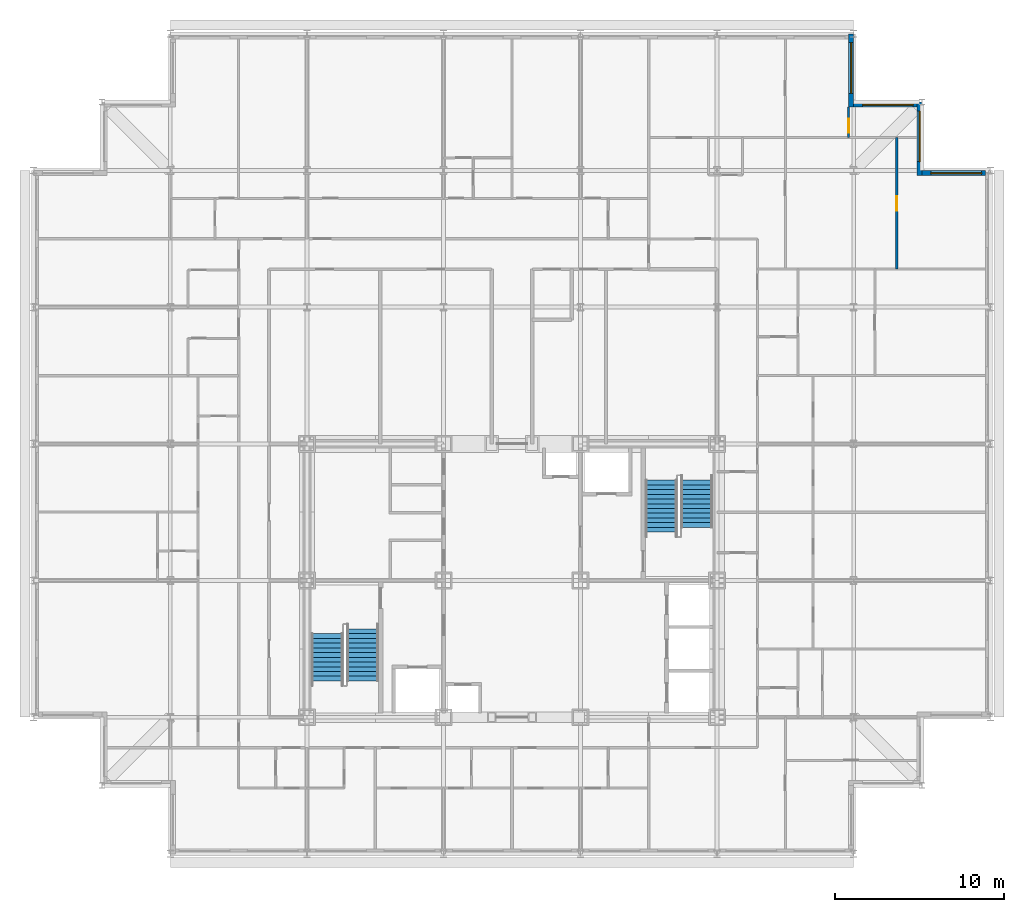
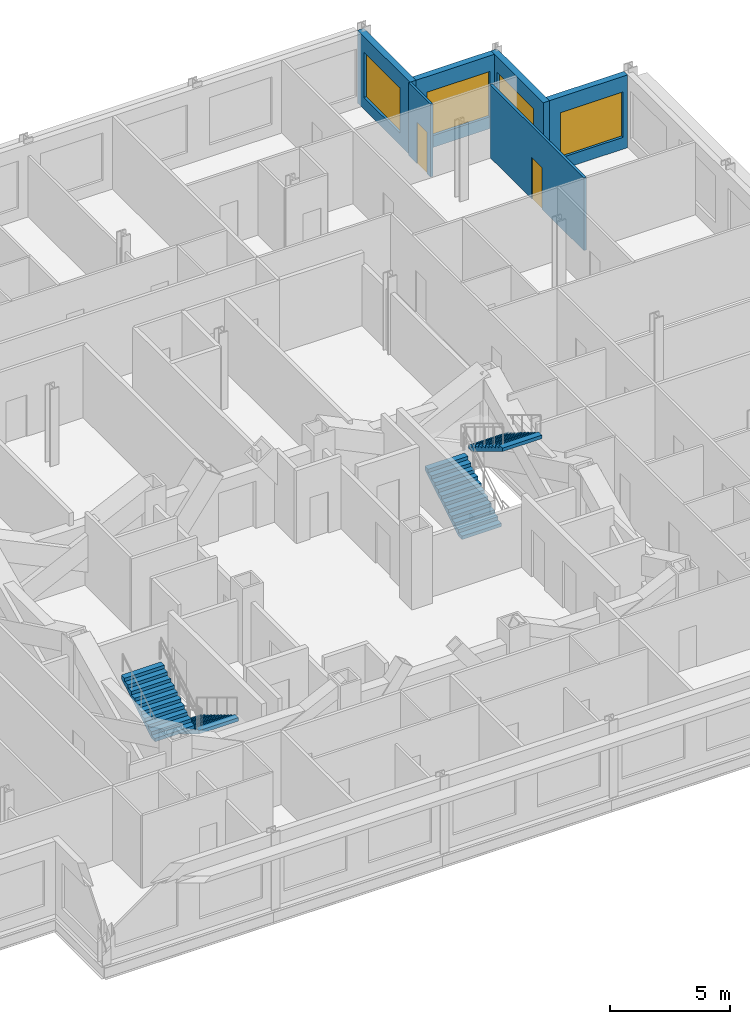
# One storey, part 14 of 15: 6 walls, 4 stair flights, 4 windows, 2 doors, 6 openings, 2 elements without a shape of their own.
"""IFC4 building model written with IfcOpenShell, lengths in metres."""

from ifc_helpers import new_model, si_unit, direction, frame, frame_2d, origin, place, context, subcontext, project, spatial, rectangle, extrude, polygons, source, transform, mapped, material, layer, layer_set, type_object, element, fill, aggregate, save


model = new_model("IFC4")

# Units and contexts
model_context = context("Model", 3, precision=1e-05, world=origin(), true_north=direction((0.0, 1.0)))
body_context = subcontext(model_context, "Body", "Model", "MODEL_VIEW")
ifc_project = project(units=[si_unit("LENGTHUNIT", "METRE"), si_unit("AREAUNIT", "SQUARE_METRE"), si_unit("VOLUMEUNIT", "CUBIC_METRE"), si_unit("PLANEANGLEUNIT", "RADIAN"), si_unit("MASSUNIT", "GRAM", prefix="KILO")], contexts=[model_context])

# Site, building, storey
site_placement = place(None, origin())
site = spatial("IfcSite", under=ifc_project, at=site_placement, CompositionType="ELEMENT")
building_placement = place(site_placement, origin())
building = spatial("IfcBuilding", under=site, at=building_placement, Name="Kopane Lantern Tower", CompositionType="ELEMENT")
storey_placement = place(building_placement, frame((0.0, 0.0, 250.199951171875)))
storey = spatial("IfcBuildingStorey", under=building, at=storey_placement, Name="L64", CompositionType="ELEMENT", Elevation=250.199951171875)

# Wall, opening, door
ifc_material_1 = material(Name="Gypsum board on steel studs", Category="steel")
ifc_layer_1 = layer(ifc_material_1, 0.1201171875)
ifc_layer_set_1 = layer_set([ifc_layer_1], Name="APARTMENT INTERNAL WALL 120")
wall_type_1 = type_object("IfcWallType", Name="APARTMENT INTERNAL WALL 120", PredefinedType="PARTITIONING", material=ifc_layer_set_1)
wall_1_placement = place(storey_placement, frame((48.300048828125, 58.64990234375, 0.0), z_axis=(0.0, 0.0, 1.0), x_axis=(0.0, 1.0, 0.0)))
wall_1 = element("IfcWall", 1, at=wall_1_placement, inside=storey, type_object=wall_type_1, Name="Apartment Internal Wall 120 L64", PredefinedType="PARTITIONING", context=body_context, shape_type="SweptSolid", body=[
    extrude(rectangle(XDim=1.800048828125, YDim=0.1201171875, at=frame_2d((0.89990234375, 0.0))), origin(), (0.0, 0.0, 1.0), 3.68994140625),
])
opening_1_placement = place(wall_1_placement, frame((0.27490234375, 0.0, 0.0)))
opening_1 = element("IfcOpeningElement", 2, at=opening_1_placement, cuts=wall_1, Name="Opening L64-064", PredefinedType="OPENING", context=body_context, shape_type="SweptSolid", body=[
    extrude(rectangle(XDim=0.85009765625, YDim=2.10009765625, at=frame_2d((0.425048828125, 1.050048828125))), frame((0.0, 0.070068359375, 0.0), z_axis=(0.0, -1.0, 0.0), x_axis=(1.0, 0.0, 0.0)), (0.0, 0.0, 1.0), 0.14013671875),
])
ifc_material_2 = material(Name="Timber door set", Category="wood")
door_type = type_object("IfcDoorType", Name="DOOR D4 850x2100", OperationType="SINGLE_SWING_LEFT", PredefinedType="DOOR", material=ifc_material_2)
door_1_placement = place(opening_1_placement, origin())
door_1 = element("IfcDoor", 3, at=door_1_placement, inside=storey, type_object=door_type, Name="Door L64-064", OperationType="SINGLE_SWING_RIGHT", OverallHeight=2.10009765625, OverallWidth=0.85009765625, PredefinedType="DOOR", context=body_context, shape_type="SweptSolid", body=[
    extrude(rectangle(XDim=0.85009765625, YDim=2.10009765625, at=frame_2d((0.425048828125, 1.050048828125))), frame((0.0, 0.02490234375, 0.0), z_axis=(0.0, -1.0, 0.0), x_axis=(1.0, 0.0, 0.0)), (0.0, 0.0, 1.0), 0.050048828125),
])
fill(opening_1, door_1)

wall_2_placement = place(storey_placement, frame((51.14990234375, 50.85009765625, 0.0), z_axis=(0.0, 0.0, 1.0), x_axis=(0.0, 1.0, 0.0)))
wall_2 = element("IfcWall", 4, at=wall_2_placement, inside=storey, type_object=wall_type_1, Name="Apartment Internal Wall 120 L64", PredefinedType="PARTITIONING", context=body_context, shape_type="SweptSolid", body=[
    extrude(rectangle(XDim=7.7998046875, YDim=0.1201171875, at=frame_2d((3.89990234375, 0.0))), origin(), (0.0, 0.0, 1.0), 3.68994140625),
])
opening_2_placement = place(wall_2_placement, frame((3.47509765625, 0.0, 0.0)))
opening_2 = element("IfcOpeningElement", 5, at=opening_2_placement, cuts=wall_2, Name="Opening L64-070", PredefinedType="OPENING", context=body_context, shape_type="SweptSolid", body=[
    extrude(rectangle(XDim=0.85009765625, YDim=2.10009765625, at=frame_2d((0.425048828125, 1.050048828125))), frame((0.0, 0.070068359375, 0.0), z_axis=(0.0, -1.0, 0.0), x_axis=(1.0, 0.0, 0.0)), (0.0, 0.0, 1.0), 0.14013671875),
])
door_2_placement = place(opening_2_placement, origin())
door_2 = element("IfcDoor", 6, at=door_2_placement, inside=storey, type_object=door_type, Name="Door L64-070", OperationType="SINGLE_SWING_RIGHT", OverallHeight=2.10009765625, OverallWidth=0.85009765625, PredefinedType="DOOR", context=body_context, shape_type="SweptSolid", body=[
    extrude(rectangle(XDim=0.85009765625, YDim=2.10009765625, at=frame_2d((0.425048828125, 1.050048828125))), frame((0.0, 0.02490234375, 0.0), z_axis=(0.0, -1.0, 0.0), x_axis=(1.0, 0.0, 0.0)), (0.0, 0.0, 1.0), 0.050048828125),
])
fill(opening_2, door_2)

# Wall, opening, window
ifc_material_3 = material(Name="Terracotta rainscreen on light steel framing", Category="masonry")
ifc_layer_2 = layer(ifc_material_3, 0.300048828125)
ifc_layer_set_2 = layer_set([ifc_layer_2], Name="EXTERNAL WALL EW1 300 TERRACOTTA")
wall_type_2 = type_object("IfcWallType", Name="EXTERNAL WALL EW1 300 TERRACOTTA", PredefinedType="SOLIDWALL", material=ifc_layer_set_2)
wall_3_placement = place(storey_placement, frame((56.39990234375, 56.550048828125, 0.0), z_axis=(0.0, 0.0, 1.0), x_axis=(-1.0, 0.0, 0.0)))
wall_3 = element("IfcWall", 7, at=wall_3_placement, inside=storey, type_object=wall_type_2, Name="External wall N L64", PredefinedType="SOLIDWALL", context=body_context, shape_type="SweptSolid", body=[
    extrude(rectangle(XDim=3.75, YDim=0.300048828125, at=frame_2d((1.875, 0.0))), origin(), (0.0, 0.0, 1.0), 3.68994140625),
])
opening_3_placement = place(wall_3_placement, frame((0.22509765625, 0.0, 0.60009765625)))
opening_3 = element("IfcOpeningElement", 8, at=opening_3_placement, cuts=wall_3, Name="Opening WR300230", PredefinedType="OPENING", context=body_context, shape_type="SweptSolid", body=[
    extrude(rectangle(XDim=3.0, YDim=2.300048828125, at=frame_2d((1.5, 1.14990234375))), frame((0.0, 0.159912109375, 0.0), z_axis=(0.0, -1.0, 0.0), x_axis=(1.0, 0.0, 0.0)), (0.0, 0.0, 1.0), 0.320068359375),
])
ifc_material_4 = material(Name="Aluminium and clear glass", Category="aluminium")
window_type = type_object("IfcWindowType", Name="RIBBON WINDOW WR300230 3000x2300", PartitioningType="SINGLE_PANEL", PredefinedType="WINDOW", material=ifc_material_4)
window_1_placement = place(opening_3_placement, origin())
window_1 = element("IfcWindow", 9, at=window_1_placement, inside=storey, type_object=window_type, Name="Window N L64", OverallHeight=2.300048828125, OverallWidth=3.0, PartitioningType="SINGLE_PANEL", PredefinedType="WINDOW", context=body_context, shape_type="SweptSolid", body=[
    extrude(rectangle(XDim=3.0, YDim=2.300048828125, at=frame_2d((1.5, 1.14990234375))), frame((0.0, 0.030029296875, 0.0), z_axis=(0.0, -1.0, 0.0), x_axis=(1.0, 0.0, 0.0)), (0.0, 0.0, 1.0), 0.06005859375),
])
fill(opening_3, window_1)

wall_4_placement = place(storey_placement, frame((52.5, 56.39990234375, 0.0), z_axis=(0.0, 0.0, 1.0), x_axis=(0.0, 1.0, 0.0)))
wall_4 = element("IfcWall", 10, at=wall_4_placement, inside=storey, type_object=wall_type_2, Name="External wall E L64", PredefinedType="SOLIDWALL", context=body_context, shape_type="SweptSolid", body=[
    extrude(rectangle(XDim=4.35009765625, YDim=0.300048828125, at=frame_2d((2.175048828125, 0.0))), origin(), (0.0, 0.0, 1.0), 3.68994140625),
])
opening_4_placement = place(wall_4_placement, frame((0.824951171875, 0.0, 0.60009765625)))
opening_4 = element("IfcOpeningElement", 11, at=opening_4_placement, cuts=wall_4, Name="Opening WR300230", PredefinedType="OPENING", context=body_context, shape_type="SweptSolid", body=[
    extrude(rectangle(XDim=3.0, YDim=2.300048828125, at=frame_2d((1.5, 1.14990234375))), frame((0.0, 0.159912109375, 0.0), z_axis=(0.0, -1.0, 0.0), x_axis=(1.0, 0.0, 0.0)), (0.0, 0.0, 1.0), 0.320068359375),
])
window_2_placement = place(opening_4_placement, origin())
window_2 = element("IfcWindow", 12, at=window_2_placement, inside=storey, type_object=window_type, Name="Window E L64", OverallHeight=2.300048828125, OverallWidth=3.0, PartitioningType="SINGLE_PANEL", PredefinedType="WINDOW", context=body_context, shape_type="SweptSolid", body=[
    extrude(rectangle(XDim=3.0, YDim=2.300048828125, at=frame_2d((1.5, 1.14990234375))), frame((0.0, 0.030029296875, 0.0), z_axis=(0.0, -1.0, 0.0), x_axis=(1.0, 0.0, 0.0)), (0.0, 0.0, 1.0), 0.06005859375),
])
fill(opening_4, window_2)

wall_5_placement = place(storey_placement, frame((52.35009765625, 60.60009765625, 0.0), z_axis=(0.0, 0.0, 1.0), x_axis=(-1.0, 0.0, 0.0)))
wall_5 = element("IfcWall", 13, at=wall_5_placement, inside=storey, type_object=wall_type_2, Name="External wall N L64", PredefinedType="SOLIDWALL", context=body_context, shape_type="SweptSolid", body=[
    extrude(rectangle(XDim=3.75, YDim=0.300048828125, at=frame_2d((1.875, 0.0))), origin(), (0.0, 0.0, 1.0), 3.68994140625),
])
opening_5_placement = place(wall_5_placement, frame((0.22509765625, 0.0, 0.60009765625)))
opening_5 = element("IfcOpeningElement", 14, at=opening_5_placement, cuts=wall_5, Name="Opening WR300230", PredefinedType="OPENING", context=body_context, shape_type="SweptSolid", body=[
    extrude(rectangle(XDim=3.0, YDim=2.300048828125, at=frame_2d((1.5, 1.14990234375))), frame((0.0, 0.159912109375, 0.0), z_axis=(0.0, -1.0, 0.0), x_axis=(1.0, 0.0, 0.0)), (0.0, 0.0, 1.0), 0.320068359375),
])
window_3_placement = place(opening_5_placement, origin())
window_3 = element("IfcWindow", 15, at=window_3_placement, inside=storey, type_object=window_type, Name="Window N L64", OverallHeight=2.300048828125, OverallWidth=3.0, PartitioningType="SINGLE_PANEL", PredefinedType="WINDOW", context=body_context, shape_type="SweptSolid", body=[
    extrude(rectangle(XDim=3.0, YDim=2.300048828125, at=frame_2d((1.5, 1.14990234375))), frame((0.0, 0.030029296875, 0.0), z_axis=(0.0, -1.0, 0.0), x_axis=(1.0, 0.0, 0.0)), (0.0, 0.0, 1.0), 0.06005859375),
])
fill(opening_5, window_3)

wall_6_placement = place(storey_placement, frame((48.449951171875, 60.449951171875, 0.0), z_axis=(0.0, 0.0, 1.0), x_axis=(0.0, 1.0, 0.0)))
wall_6 = element("IfcWall", 16, at=wall_6_placement, inside=storey, type_object=wall_type_2, Name="External wall E L64", PredefinedType="SOLIDWALL", context=body_context, shape_type="SweptSolid", body=[
    extrude(rectangle(XDim=4.35009765625, YDim=0.300048828125, at=frame_2d((2.175048828125, 0.0))), origin(), (0.0, 0.0, 1.0), 3.68994140625),
])
opening_6_placement = place(wall_6_placement, frame((0.824951171875, 0.0, 0.60009765625)))
opening_6 = element("IfcOpeningElement", 17, at=opening_6_placement, cuts=wall_6, Name="Opening WR300230", PredefinedType="OPENING", context=body_context, shape_type="SweptSolid", body=[
    extrude(rectangle(XDim=3.0, YDim=2.300048828125, at=frame_2d((1.5, 1.14990234375))), frame((0.0, 0.159912109375, 0.0), z_axis=(0.0, -1.0, 0.0), x_axis=(1.0, 0.0, 0.0)), (0.0, 0.0, 1.0), 0.320068359375),
])
window_4_placement = place(opening_6_placement, origin())
window_4 = element("IfcWindow", 18, at=window_4_placement, inside=storey, type_object=window_type, Name="Window E L64", OverallHeight=2.300048828125, OverallWidth=3.0, PartitioningType="SINGLE_PANEL", PredefinedType="WINDOW", context=body_context, shape_type="SweptSolid", body=[
    extrude(rectangle(XDim=3.0, YDim=2.300048828125, at=frame_2d((1.5, 1.14990234375))), frame((0.0, 0.030029296875, 0.0), z_axis=(0.0, -1.0, 0.0), x_axis=(1.0, 0.0, 0.0)), (0.0, 0.0, 1.0), 0.06005859375),
])
fill(opening_6, window_4)

# Stair, stair flight
ifc_material_5 = material(Name="Steel S355JR", Category="steel")
stair_type = type_object("IfcStairType", Name="EXIT STAIR 1900 HALF TURN", PredefinedType="HALF_TURN_STAIR", material=ifc_material_5)
stair_1_placement = place(storey_placement, origin())
stair_1 = element("IfcStair", 19, at=stair_1_placement, inside=storey, type_object=stair_type, Name="Exit stair ST1 L64", PredefinedType="HALF_TURN_STAIR")
ifc_material_6 = material(Name="Steel S355JR", Category="steel")
stair_flight_type = type_object("IfcStairFlightType", Name="STAIR FLIGHT 1900 STEEL", PredefinedType="STRAIGHT", material=ifc_material_6)
shared_shape_1 = source(origin(), body_context, "Body", "Tessellation", [
    polygons([(3.080078125, 0.949951172, 1.865234375), (2.800048828, 0.949951172, 1.865234375), (2.800048828, -0.949951172, 1.865234375), (3.080078125, -0.949951172, 1.865234375), (0.289306641, 0.949951172, 0.0), (3.080078125, 0.949951172, 1.689941406), (3.080078125, -0.949951172, 1.689941406), (0.289306641, -0.949951172, 0.0), (0.0, 0.949951172, 0.0), (0.0, -0.949951172, 0.0), (0.280029297, 0.949951172, 0.169677734), (0.0, 0.949951172, 0.169677734), (0.0, -0.949951172, 0.169677734), (0.280029297, -0.949951172, 0.169677734), (0.280029297, 0.949951172, 0.339111328), (0.280029297, -0.949951172, 0.339111328), (0.560058594, 0.949951172, 0.339111328), (0.560058594, -0.949951172, 0.339111328), (0.560058594, 0.949951172, 0.508789062), (0.560058594, -0.949951172, 0.508789062), (0.840087891, 0.949951172, 0.508789062), (0.840087891, -0.949951172, 0.508789062), (0.840087891, 0.949951172, 0.678222656), (0.840087891, -0.949951172, 0.678222656), (1.120117188, 0.949951172, 0.678222656), (1.120117188, -0.949951172, 0.678222656), (1.120117188, 0.949951172, 0.847900391), (1.120117188, -0.949951172, 0.847900391), (1.399902344, 0.949951172, 0.847900391), (1.399902344, -0.949951172, 0.847900391), (1.399902344, 0.949951172, 1.017333984), (1.399902344, -0.949951172, 1.017333984), (1.679931641, 0.949951172, 1.017333984), (1.679931641, -0.949951172, 1.017333984), (1.679931641, 0.949951172, 1.187011719), (1.679931641, -0.949951172, 1.187011719), (1.959960938, 0.949951172, 1.187011719), (1.959960938, -0.949951172, 1.187011719), (1.959960938, 0.949951172, 1.356445312), (1.959960938, -0.949951172, 1.356445312), (2.239990234, 0.949951172, 1.356445312), (2.239990234, -0.949951172, 1.356445312), (2.239990234, 0.949951172, 1.526123047), (2.239990234, -0.949951172, 1.526123047), (2.520019531, 0.949951172, 1.526123047), (2.520019531, -0.949951172, 1.526123047), (2.520019531, 0.949951172, 1.695556641), (2.520019531, -0.949951172, 1.695556641), (2.800048828, 0.949951172, 1.695556641), (2.800048828, -0.949951172, 1.695556641), (0.0, 0.0, 0.004585885), (0.0, 0.0, 0.009171769), (0.0, 0.0, 0.013757654), (0.0, 0.0, 0.018343539), (0.0, 0.0, 0.022929424), (0.0, 0.0, 0.027515308), (0.0, 0.0, 0.032101193), (0.0, 0.0, 0.036687078), (0.0, 0.0, 0.041272962), (0.0, 0.0, 0.045858847), (0.0, 0.0, 0.050444732), (0.0, 0.0, 0.055030617), (0.0, 0.0, 0.059616501), (0.0, 0.0, 0.064202386), (0.0, 0.0, 0.068788271), (0.0, 0.0, 0.073374155), (0.0, 0.0, 0.07796004), (0.0, 0.0, 0.082545925), (0.0, 0.0, 0.08713181), (0.0, 0.0, 0.091717694), (0.0, 0.0, 0.096303579), (0.0, 0.0, 0.100889464), (0.0, 0.0, 0.105475348), (0.0, 0.0, 0.110061233), (0.0, 0.0, 0.114647118), (0.0, 0.0, 0.119233003), (0.0, 0.0, 0.123818887), (0.0, 0.0, 0.128404772), (0.0, 0.0, 0.132990657), (0.0, 0.0, 0.137576541), (0.0, 0.0, 0.142162426), (0.0, 0.0, 0.146748311), (0.0, 0.0, 0.151334196), (0.0, 0.0, 0.15592008), (0.0, 0.0, 0.160505965), (0.0, 0.0, 0.16509185), (3.080078125, 0.0, 1.694679054), (3.080078125, 0.0, 1.699416702), (3.080078125, 0.0, 1.70415435), (3.080078125, 0.0, 1.708891997), (3.080078125, 0.0, 1.713629645), (3.080078125, 0.0, 1.718367293), (3.080078125, 0.0, 1.723104941), (3.080078125, 0.0, 1.727842589), (3.080078125, 0.0, 1.732580236), (3.080078125, 0.0, 1.737317884), (3.080078125, 0.0, 1.742055532), (3.080078125, 0.0, 1.74679318), (3.080078125, 0.0, 1.751530828), (3.080078125, 0.0, 1.756268476), (3.080078125, 0.0, 1.761006123), (3.080078125, 0.0, 1.765743771), (3.080078125, 0.0, 1.770481419), (3.080078125, 0.0, 1.775219067), (3.080078125, 0.0, 1.779956715), (3.080078125, 0.0, 1.784694362), (3.080078125, 0.0, 1.78943201), (3.080078125, 0.0, 1.794169658), (3.080078125, 0.0, 1.798907306), (3.080078125, 0.0, 1.803644954), (3.080078125, 0.0, 1.808382601), (3.080078125, 0.0, 1.813120249), (3.080078125, 0.0, 1.817857897), (3.080078125, 0.0, 1.822595545), (3.080078125, 0.0, 1.827333193), (3.080078125, 0.0, 1.83207084), (3.080078125, 0.0, 1.836808488), (3.080078125, 0.0, 1.841546136), (3.080078125, 0.0, 1.846283784), (3.080078125, 0.0, 1.851021432), (3.080078125, 0.0, 1.855759079), (3.080078125, 0.0, 1.860496727)], [[[1, 2, 3]], [[1, 3, 4]], [[5, 6, 7]], [[5, 7, 8]], [[9, 5, 8]], [[9, 8, 10]], [[11, 12, 13]], [[11, 13, 14]], [[15, 11, 14]], [[15, 14, 16]], [[17, 15, 16]], [[17, 16, 18]], [[19, 17, 18]], [[19, 18, 20]], [[21, 19, 20]], [[21, 20, 22]], [[23, 21, 22]], [[23, 22, 24]], [[25, 23, 24]], [[25, 24, 26]], [[27, 25, 26]], [[27, 26, 28]], [[29, 27, 28]], [[29, 28, 30]], [[31, 29, 30]], [[31, 30, 32]], [[33, 31, 32]], [[33, 32, 34]], [[35, 33, 34]], [[35, 34, 36]], [[37, 35, 36]], [[37, 36, 38]], [[39, 37, 38]], [[39, 38, 40]], [[41, 39, 40]], [[41, 40, 42]], [[43, 41, 42]], [[43, 42, 44]], [[45, 43, 44]], [[45, 44, 46]], [[47, 45, 46]], [[47, 46, 48]], [[49, 47, 48]], [[49, 48, 50]], [[2, 49, 50]], [[2, 50, 3]], [[49, 1, 6]], [[45, 49, 6]], [[2, 1, 49]], [[41, 45, 6]], [[47, 49, 45]], [[37, 41, 6]], [[43, 45, 41]], [[39, 41, 37]], [[35, 37, 33]], [[31, 33, 29]], [[5, 21, 25]], [[27, 29, 25]], [[17, 21, 5]], [[23, 25, 21]], [[11, 17, 5]], [[19, 21, 17]], [[9, 11, 5]], [[15, 17, 11]], [[12, 11, 9]], [[6, 5, 25]], [[6, 25, 29]], [[6, 29, 33]], [[6, 33, 37]], [[7, 4, 50]], [[7, 50, 46]], [[50, 4, 3]], [[7, 46, 42]], [[46, 50, 48]], [[7, 42, 38]], [[42, 46, 44]], [[38, 42, 40]], [[34, 38, 36]], [[30, 34, 32]], [[26, 22, 8]], [[26, 30, 28]], [[8, 22, 18]], [[22, 26, 24]], [[8, 18, 14]], [[18, 22, 20]], [[8, 14, 10]], [[14, 18, 16]], [[10, 14, 13]], [[26, 8, 7]], [[30, 26, 7]], [[34, 30, 7]], [[38, 34, 7]], [[10, 51, 9]], [[10, 52, 51]], [[9, 51, 52]], [[10, 53, 52]], [[9, 52, 53]], [[10, 54, 53]], [[9, 53, 54]], [[10, 55, 54]], [[9, 54, 55]], [[10, 56, 55]], [[9, 55, 56]], [[10, 57, 56]], [[9, 56, 57]], [[10, 58, 57]], [[9, 57, 58]], [[10, 59, 58]], [[9, 58, 59]], [[10, 60, 59]], [[9, 59, 60]], [[10, 61, 60]], [[9, 60, 61]], [[10, 62, 61]], [[9, 61, 62]], [[10, 63, 62]], [[9, 62, 63]], [[10, 64, 63]], [[9, 63, 64]], [[10, 65, 64]], [[9, 64, 65]], [[10, 66, 65]], [[9, 65, 66]], [[10, 67, 66]], [[9, 66, 67]], [[10, 68, 67]], [[9, 67, 68]], [[10, 69, 68]], [[9, 68, 69]], [[10, 70, 69]], [[9, 69, 70]], [[10, 71, 70]], [[9, 70, 71]], [[10, 72, 71]], [[9, 71, 72]], [[10, 73, 72]], [[9, 72, 73]], [[10, 74, 73]], [[9, 73, 74]], [[10, 75, 74]], [[9, 74, 75]], [[10, 76, 75]], [[9, 75, 76]], [[10, 77, 76]], [[9, 76, 77]], [[10, 78, 77]], [[9, 77, 78]], [[10, 79, 78]], [[9, 78, 79]], [[10, 80, 79]], [[9, 79, 80]], [[10, 81, 80]], [[9, 80, 81]], [[10, 82, 81]], [[9, 81, 82]], [[10, 83, 82]], [[9, 82, 83]], [[10, 84, 83]], [[9, 83, 84]], [[10, 85, 84]], [[9, 84, 85]], [[10, 86, 85]], [[9, 85, 86]], [[10, 13, 86]], [[86, 13, 12]], [[9, 86, 12]], [[7, 6, 87]], [[7, 87, 88]], [[6, 88, 87]], [[7, 88, 89]], [[6, 89, 88]], [[7, 89, 90]], [[6, 90, 89]], [[7, 90, 91]], [[6, 91, 90]], [[7, 91, 92]], [[6, 92, 91]], [[7, 92, 93]], [[6, 93, 92]], [[7, 93, 94]], [[6, 94, 93]], [[7, 94, 95]], [[6, 95, 94]], [[7, 95, 96]], [[6, 96, 95]], [[7, 96, 97]], [[6, 97, 96]], [[7, 97, 98]], [[6, 98, 97]], [[7, 98, 99]], [[6, 99, 98]], [[7, 99, 100]], [[6, 100, 99]], [[7, 100, 101]], [[6, 101, 100]], [[7, 101, 102]], [[6, 102, 101]], [[7, 102, 103]], [[6, 103, 102]], [[7, 103, 104]], [[6, 104, 103]], [[7, 104, 105]], [[6, 105, 104]], [[7, 105, 106]], [[6, 106, 105]], [[7, 106, 107]], [[6, 107, 106]], [[7, 107, 108]], [[6, 108, 107]], [[7, 108, 109]], [[6, 109, 108]], [[7, 109, 110]], [[6, 110, 109]], [[7, 110, 111]], [[6, 111, 110]], [[7, 111, 112]], [[6, 112, 111]], [[7, 112, 113]], [[6, 113, 112]], [[7, 113, 114]], [[6, 114, 113]], [[7, 114, 115]], [[6, 115, 114]], [[7, 115, 116]], [[6, 116, 115]], [[7, 116, 117]], [[6, 117, 116]], [[7, 117, 118]], [[6, 118, 117]], [[7, 118, 119]], [[6, 119, 118]], [[7, 119, 120]], [[6, 120, 119]], [[7, 120, 121]], [[6, 121, 120]], [[7, 121, 122]], [[6, 122, 121]], [[7, 122, 4]], [[122, 1, 4]], [[6, 1, 122]]], closed=True),
])
stair_flight_1_placement = place(storey_placement, frame((19.5, 29.530029296875, 0.0), z_axis=(0.0, 0.0, 1.0), x_axis=(0.0, -1.0, 0.0)))
stair_flight_1 = element("IfcStairFlight", 20, at=stair_flight_1_placement, type_object=stair_flight_type, Name="ST1 flight 1", NumberOfRisers=12, NumberOfTreads=11, PredefinedType="STRAIGHT", RiserHeight=0.169565217, TreadLength=0.28, context=body_context, shape_type="MappedRepresentation", body=[
    mapped(shared_shape_1, transform((0.0, 0.0, 0.0))),
])

stair_2_placement = place(storey_placement, origin())
stair_2 = element("IfcStair", 21, at=stair_2_placement, inside=storey, type_object=stair_type, Name="Exit stair ST2 L64", PredefinedType="HALF_TURN_STAIR")
stair_flight_2_placement = place(storey_placement, frame((37.199951171875, 35.27001953125, 0.0), z_axis=(0.0, 0.0, 1.0), x_axis=(0.0, 1.0, 0.0)))
stair_flight_2 = element("IfcStairFlight", 22, at=stair_flight_2_placement, type_object=stair_flight_type, Name="ST2 flight 1", NumberOfRisers=12, NumberOfTreads=11, PredefinedType="STRAIGHT", RiserHeight=0.169565217, TreadLength=0.28, context=body_context, shape_type="MappedRepresentation", body=[
    mapped(shared_shape_1, transform((0.0, 0.0, 0.0))),
])

# Stair flight
shared_shape_2 = source(origin(), body_context, "Body", "Tessellation", [
    polygons([(2.800048828, 0.949951172, 1.695556641), (2.520019531, 0.949951172, 1.695556641), (2.520019531, -0.949951172, 1.695556641), (2.800048828, -0.949951172, 1.695556641), (0.289306641, 0.949951172, 0.0), (2.800048828, 0.949951172, 1.520507812), (2.800048828, -0.949951172, 1.520507812), (0.289306641, -0.949951172, 0.0), (0.0, 0.949951172, 0.0), (0.0, -0.949951172, 0.0), (0.280029297, 0.949951172, 0.169677734), (0.0, 0.949951172, 0.169677734), (0.0, -0.949951172, 0.169677734), (0.280029297, -0.949951172, 0.169677734), (0.280029297, 0.949951172, 0.339111328), (0.280029297, -0.949951172, 0.339111328), (0.560058594, 0.949951172, 0.339111328), (0.560058594, -0.949951172, 0.339111328), (0.560058594, 0.949951172, 0.508789062), (0.560058594, -0.949951172, 0.508789062), (0.840087891, 0.949951172, 0.508789062), (0.840087891, -0.949951172, 0.508789062), (0.840087891, 0.949951172, 0.678222656), (0.840087891, -0.949951172, 0.678222656), (1.120117188, 0.949951172, 0.678222656), (1.120117188, -0.949951172, 0.678222656), (1.120117188, 0.949951172, 0.847900391), (1.120117188, -0.949951172, 0.847900391), (1.399902344, 0.949951172, 0.847900391), (1.399902344, -0.949951172, 0.847900391), (1.399902344, 0.949951172, 1.017333984), (1.399902344, -0.949951172, 1.017333984), (1.679931641, 0.949951172, 1.017333984), (1.679931641, -0.949951172, 1.017333984), (1.679931641, 0.949951172, 1.187011719), (1.679931641, -0.949951172, 1.187011719), (1.959960938, 0.949951172, 1.187011719), (1.959960938, -0.949951172, 1.187011719), (1.959960938, 0.949951172, 1.356445312), (1.959960938, -0.949951172, 1.356445312), (2.239990234, 0.949951172, 1.356445312), (2.239990234, -0.949951172, 1.356445312), (2.239990234, 0.949951172, 1.526123047), (2.239990234, -0.949951172, 1.526123047), (2.520019531, 0.949951172, 1.526123047), (2.520019531, -0.949951172, 1.526123047), (0.0, 0.0, 0.004585885), (0.0, 0.0, 0.009171769), (0.0, 0.0, 0.013757654), (0.0, 0.0, 0.018343539), (0.0, 0.0, 0.022929424), (0.0, 0.0, 0.027515308), (0.0, 0.0, 0.032101193), (0.0, 0.0, 0.036687078), (0.0, 0.0, 0.041272962), (0.0, 0.0, 0.045858847), (0.0, 0.0, 0.050444732), (0.0, 0.0, 0.055030617), (0.0, 0.0, 0.059616501), (0.0, 0.0, 0.064202386), (0.0, 0.0, 0.068788271), (0.0, 0.0, 0.073374155), (0.0, 0.0, 0.07796004), (0.0, 0.0, 0.082545925), (0.0, 0.0, 0.08713181), (0.0, 0.0, 0.091717694), (0.0, 0.0, 0.096303579), (0.0, 0.0, 0.100889464), (0.0, 0.0, 0.105475348), (0.0, 0.0, 0.110061233), (0.0, 0.0, 0.114647118), (0.0, 0.0, 0.119233003), (0.0, 0.0, 0.123818887), (0.0, 0.0, 0.128404772), (0.0, 0.0, 0.132990657), (0.0, 0.0, 0.137576541), (0.0, 0.0, 0.142162426), (0.0, 0.0, 0.146748311), (0.0, 0.0, 0.151334196), (0.0, 0.0, 0.15592008), (0.0, 0.0, 0.160505965), (0.0, 0.0, 0.16509185), (2.800048828, 0.0, 1.525238862), (2.800048828, 0.0, 1.529969911), (2.800048828, 0.0, 1.534700961), (2.800048828, 0.0, 1.53943201), (2.800048828, 0.0, 1.54416306), (2.800048828, 0.0, 1.548894109), (2.800048828, 0.0, 1.553625158), (2.800048828, 0.0, 1.558356208), (2.800048828, 0.0, 1.563087257), (2.800048828, 0.0, 1.567818307), (2.800048828, 0.0, 1.572549356), (2.800048828, 0.0, 1.577280405), (2.800048828, 0.0, 1.582011455), (2.800048828, 0.0, 1.586742504), (2.800048828, 0.0, 1.591473554), (2.800048828, 0.0, 1.596204603), (2.800048828, 0.0, 1.600935652), (2.800048828, 0.0, 1.605666702), (2.800048828, 0.0, 1.610397751), (2.800048828, 0.0, 1.615128801), (2.800048828, 0.0, 1.61985985), (2.800048828, 0.0, 1.624590899), (2.800048828, 0.0, 1.629321949), (2.800048828, 0.0, 1.634052998), (2.800048828, 0.0, 1.638784048), (2.800048828, 0.0, 1.643515097), (2.800048828, 0.0, 1.648246147), (2.800048828, 0.0, 1.652977196), (2.800048828, 0.0, 1.657708245), (2.800048828, 0.0, 1.662439295), (2.800048828, 0.0, 1.667170344), (2.800048828, 0.0, 1.671901394), (2.800048828, 0.0, 1.676632443), (2.800048828, 0.0, 1.681363492), (2.800048828, 0.0, 1.686094542), (2.800048828, 0.0, 1.690825591)], [[[1, 2, 3]], [[1, 3, 4]], [[5, 6, 7]], [[5, 7, 8]], [[9, 5, 8]], [[9, 8, 10]], [[11, 12, 13]], [[11, 13, 14]], [[15, 11, 14]], [[15, 14, 16]], [[17, 15, 16]], [[17, 16, 18]], [[19, 17, 18]], [[19, 18, 20]], [[21, 19, 20]], [[21, 20, 22]], [[23, 21, 22]], [[23, 22, 24]], [[25, 23, 24]], [[25, 24, 26]], [[27, 25, 26]], [[27, 26, 28]], [[29, 27, 28]], [[29, 28, 30]], [[31, 29, 30]], [[31, 30, 32]], [[33, 31, 32]], [[33, 32, 34]], [[35, 33, 34]], [[35, 34, 36]], [[37, 35, 36]], [[37, 36, 38]], [[39, 37, 38]], [[39, 38, 40]], [[41, 39, 40]], [[41, 40, 42]], [[43, 41, 42]], [[43, 42, 44]], [[45, 43, 44]], [[45, 44, 46]], [[2, 45, 46]], [[2, 46, 3]], [[45, 1, 6]], [[41, 45, 6]], [[2, 1, 45]], [[37, 41, 6]], [[43, 45, 41]], [[39, 41, 37]], [[35, 37, 33]], [[31, 33, 29]], [[5, 21, 25]], [[27, 29, 25]], [[17, 21, 5]], [[23, 25, 21]], [[11, 17, 5]], [[19, 21, 17]], [[9, 11, 5]], [[15, 17, 11]], [[12, 11, 9]], [[6, 5, 25]], [[6, 25, 29]], [[6, 29, 33]], [[6, 33, 37]], [[7, 4, 46]], [[7, 46, 42]], [[46, 4, 3]], [[7, 42, 38]], [[42, 46, 44]], [[38, 42, 40]], [[34, 38, 36]], [[30, 34, 32]], [[26, 22, 8]], [[26, 30, 28]], [[8, 22, 18]], [[22, 26, 24]], [[8, 18, 14]], [[18, 22, 20]], [[8, 14, 10]], [[14, 18, 16]], [[10, 14, 13]], [[26, 8, 7]], [[30, 26, 7]], [[34, 30, 7]], [[38, 34, 7]], [[10, 47, 9]], [[10, 48, 47]], [[9, 47, 48]], [[10, 49, 48]], [[9, 48, 49]], [[10, 50, 49]], [[9, 49, 50]], [[10, 51, 50]], [[9, 50, 51]], [[10, 52, 51]], [[9, 51, 52]], [[10, 53, 52]], [[9, 52, 53]], [[10, 54, 53]], [[9, 53, 54]], [[10, 55, 54]], [[9, 54, 55]], [[10, 56, 55]], [[9, 55, 56]], [[10, 57, 56]], [[9, 56, 57]], [[10, 58, 57]], [[9, 57, 58]], [[10, 59, 58]], [[9, 58, 59]], [[10, 60, 59]], [[9, 59, 60]], [[10, 61, 60]], [[9, 60, 61]], [[10, 62, 61]], [[9, 61, 62]], [[10, 63, 62]], [[9, 62, 63]], [[10, 64, 63]], [[9, 63, 64]], [[10, 65, 64]], [[9, 64, 65]], [[10, 66, 65]], [[9, 65, 66]], [[10, 67, 66]], [[9, 66, 67]], [[10, 68, 67]], [[9, 67, 68]], [[10, 69, 68]], [[9, 68, 69]], [[10, 70, 69]], [[9, 69, 70]], [[10, 71, 70]], [[9, 70, 71]], [[10, 72, 71]], [[9, 71, 72]], [[10, 73, 72]], [[9, 72, 73]], [[10, 74, 73]], [[9, 73, 74]], [[10, 75, 74]], [[9, 74, 75]], [[10, 76, 75]], [[9, 75, 76]], [[10, 77, 76]], [[9, 76, 77]], [[10, 78, 77]], [[9, 77, 78]], [[10, 79, 78]], [[9, 78, 79]], [[10, 80, 79]], [[9, 79, 80]], [[10, 81, 80]], [[9, 80, 81]], [[10, 82, 81]], [[9, 81, 82]], [[10, 13, 82]], [[82, 13, 12]], [[9, 82, 12]], [[7, 6, 83]], [[7, 83, 84]], [[6, 84, 83]], [[7, 84, 85]], [[6, 85, 84]], [[7, 85, 86]], [[6, 86, 85]], [[7, 86, 87]], [[6, 87, 86]], [[7, 87, 88]], [[6, 88, 87]], [[7, 88, 89]], [[6, 89, 88]], [[7, 89, 90]], [[6, 90, 89]], [[7, 90, 91]], [[6, 91, 90]], [[7, 91, 92]], [[6, 92, 91]], [[7, 92, 93]], [[6, 93, 92]], [[7, 93, 94]], [[6, 94, 93]], [[7, 94, 95]], [[6, 95, 94]], [[7, 95, 96]], [[6, 96, 95]], [[7, 96, 97]], [[6, 97, 96]], [[7, 97, 98]], [[6, 98, 97]], [[7, 98, 99]], [[6, 99, 98]], [[7, 99, 100]], [[6, 100, 99]], [[7, 100, 101]], [[6, 101, 100]], [[7, 101, 102]], [[6, 102, 101]], [[7, 102, 103]], [[6, 103, 102]], [[7, 103, 104]], [[6, 104, 103]], [[7, 104, 105]], [[6, 105, 104]], [[7, 105, 106]], [[6, 106, 105]], [[7, 106, 107]], [[6, 107, 106]], [[7, 107, 108]], [[6, 108, 107]], [[7, 108, 109]], [[6, 109, 108]], [[7, 109, 110]], [[6, 110, 109]], [[7, 110, 111]], [[6, 111, 110]], [[7, 111, 112]], [[6, 112, 111]], [[7, 112, 113]], [[6, 113, 112]], [[7, 113, 114]], [[6, 114, 113]], [[7, 114, 115]], [[6, 115, 114]], [[7, 115, 116]], [[6, 116, 115]], [[7, 116, 117]], [[6, 117, 116]], [[7, 117, 118]], [[6, 118, 117]], [[7, 118, 4]], [[118, 1, 4]], [[6, 1, 118]]], closed=True),
])
stair_flight_3_placement = place(storey_placement, frame((17.39990234375, 26.449951171875, 2.034912109375), z_axis=(0.0, 0.0, 1.0), x_axis=(0.0, 1.0, 0.0)))
stair_flight_3 = element("IfcStairFlight", 23, at=stair_flight_3_placement, type_object=stair_flight_type, Name="ST1 flight 2", NumberOfRisers=11, NumberOfTreads=10, PredefinedType="STRAIGHT", RiserHeight=0.169565217, TreadLength=0.28, context=body_context, shape_type="MappedRepresentation", body=[
    mapped(shared_shape_2, transform((0.0, 0.0, 0.0))),
])

aggregate(stair_1, [stair_flight_1, stair_flight_3])

stair_flight_4_placement = place(storey_placement, frame((39.300048828125, 38.35009765625, 2.034912109375), z_axis=(0.0, 0.0, 1.0), x_axis=(0.0, -1.0, 0.0)))
stair_flight_4 = element("IfcStairFlight", 24, at=stair_flight_4_placement, type_object=stair_flight_type, Name="ST2 flight 2", NumberOfRisers=11, NumberOfTreads=10, PredefinedType="STRAIGHT", RiserHeight=0.169565217, TreadLength=0.28, context=body_context, shape_type="MappedRepresentation", body=[
    mapped(shared_shape_2, transform((0.0, 0.0, 0.0))),
])

aggregate(stair_2, [stair_flight_2, stair_flight_4])

save(model, "model.ifc")
